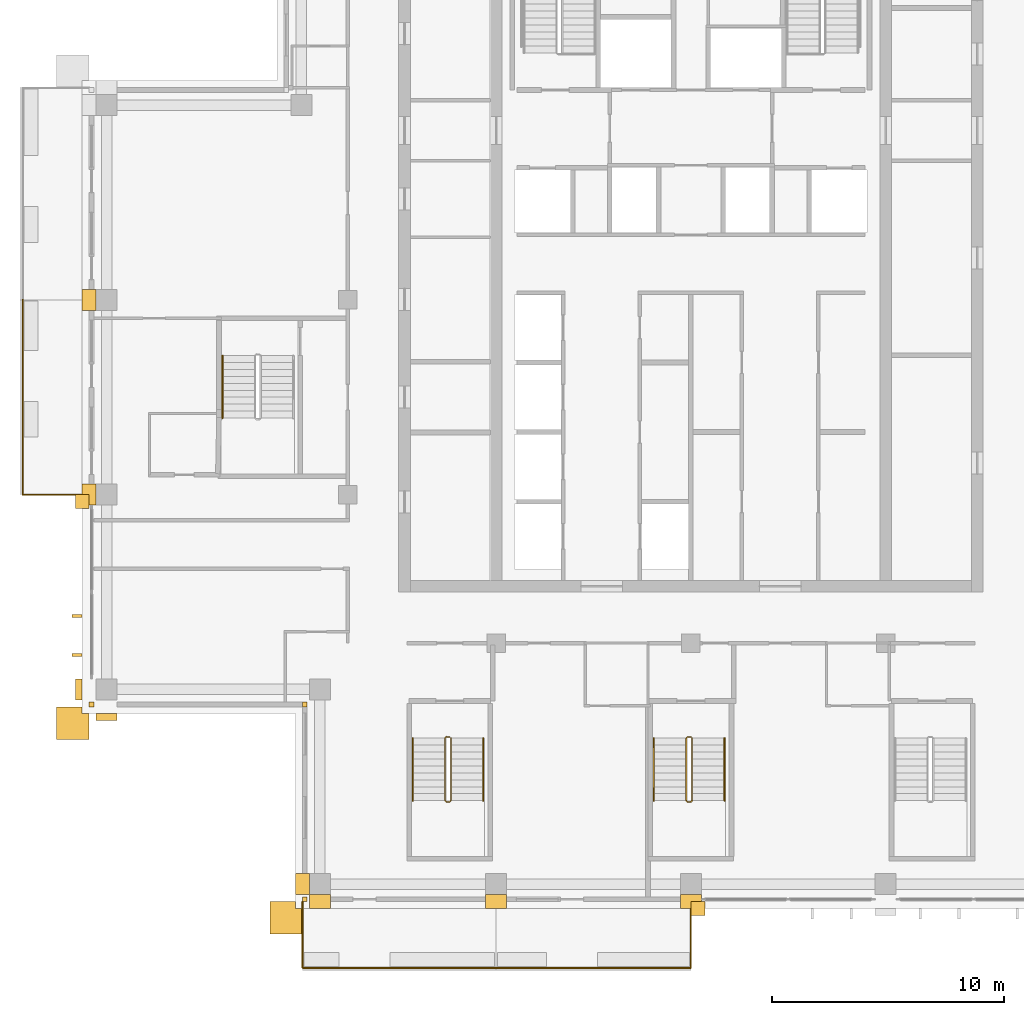
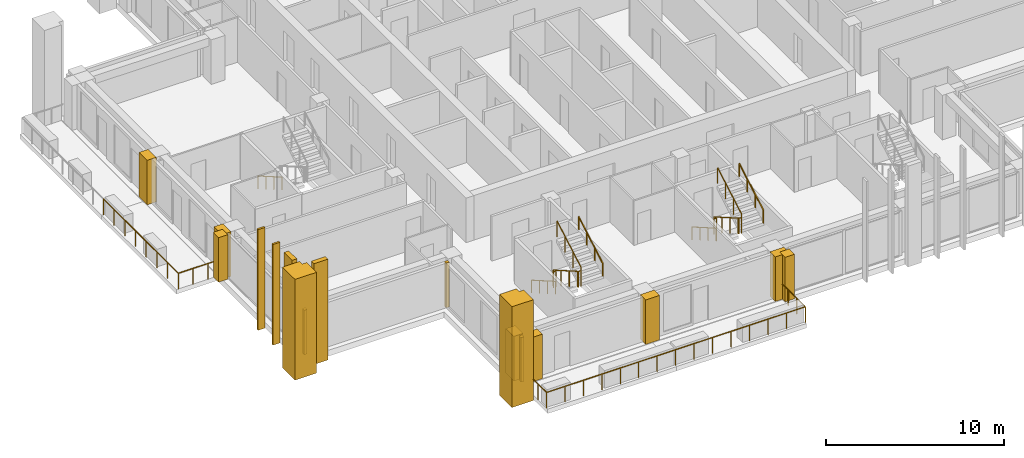
# One storey, part 13 of 16: 17 coverings, 10 railings.
"""IFC4 building model written with IfcOpenShell, lengths in metres."""

from ifc_helpers import new_model, si_unit, direction, frame, origin, origin_2d, place, context, subcontext, project, spatial, polyline, rectangle, outline, extrude, material, layer, layer_set, type_object, element, save


model = new_model("IFC4")

# Units and contexts
model_context = context("Model", 3, precision=1e-05, world=origin(), true_north=direction((0.0, 1.0)))
body_context = subcontext(model_context, "Body", "Model", "MODEL_VIEW")
ifc_project = project(units=[si_unit("LENGTHUNIT", "METRE"), si_unit("AREAUNIT", "SQUARE_METRE"), si_unit("VOLUMEUNIT", "CUBIC_METRE"), si_unit("PLANEANGLEUNIT", "RADIAN"), si_unit("MASSUNIT", "GRAM", prefix="KILO")], contexts=[model_context])

# Site, building, storey
site_placement = place(None, origin())
site = spatial("IfcSite", under=ifc_project, at=site_placement, CompositionType="ELEMENT")
building_placement = place(site_placement, origin())
building = spatial("IfcBuilding", under=site, at=building_placement, Name="Vermilion Ogive Tower", CompositionType="ELEMENT")
storey_placement = place(building_placement, frame((0.0, 0.0, 247.60009765625)))
storey = spatial("IfcBuildingStorey", under=building, at=storey_placement, Name="L65", CompositionType="ELEMENT", Elevation=247.60009765625)

# Railings
ifc_material_1 = material(Name="Stainless steel and glass", Category="steel")
railing_type_1 = type_object("IfcRailingType", Name="Balcony guard", PredefinedType="GUARDRAIL", material=ifc_material_1)
railing_1_placement = place(storey_placement, frame((-16.75, -21.75, -0.0400390625)))
element("IfcRailing", 1, at=railing_1_placement, inside=storey, type_object=railing_type_1, Name="Guard S01", PredefinedType="GUARDRAIL", context=body_context, shape_type="SweptSolid", body=[
    extrude(rectangle(XDim=0.048095703125, YDim=0.048095703125, at=origin_2d()), frame((0.0, 0.0, 1.076171875), z_axis=(0.0, -1.0, 0.0), x_axis=(1.0, 0.0, 0.0)), (0.0, 0.0, 1.0), 2.863525390625),
    extrude(rectangle(XDim=0.048095703125, YDim=0.048095703125, at=origin_2d()), frame((0.0, -2.863525390625, 1.076171875), z_axis=(1.0, 0.0, 0.0), x_axis=(0.0, 1.0, 0.0)), (0.0, 0.0, 1.0), 8.35009765625),
    extrude(rectangle(XDim=0.0419921875, YDim=0.0419921875, at=origin_2d()), origin(), (0.0, 0.0, 1.0), 1.052001953125),
    extrude(rectangle(XDim=0.0419921875, YDim=0.0419921875, at=origin_2d()), frame((0.0, -0.95458984375, 0.0)), (0.0, 0.0, 1.0), 1.052001953125),
    extrude(rectangle(XDim=0.0419921875, YDim=0.0419921875, at=origin_2d()), frame((0.0, -1.908935546875, 0.0)), (0.0, 0.0, 1.0), 1.052001953125),
    extrude(rectangle(XDim=0.0419921875, YDim=0.0419921875, at=origin_2d()), frame((0.0, -2.863525390625, 0.0)), (0.0, 0.0, 1.0), 1.052001953125),
    extrude(rectangle(XDim=0.0419921875, YDim=0.0419921875, at=origin_2d()), frame((1.19287109375, -2.863525390625, 0.0)), (0.0, 0.0, 1.0), 1.052001953125),
    extrude(rectangle(XDim=0.0419921875, YDim=0.0419921875, at=origin_2d()), frame((2.3857421875, -2.863525390625, 0.0)), (0.0, 0.0, 1.0), 1.052001953125),
    extrude(rectangle(XDim=0.0419921875, YDim=0.0419921875, at=origin_2d()), frame((3.57861328125, -2.863525390625, 0.0)), (0.0, 0.0, 1.0), 1.052001953125),
    extrude(rectangle(XDim=0.0419921875, YDim=0.0419921875, at=origin_2d()), frame((4.771484375, -2.863525390625, 0.0)), (0.0, 0.0, 1.0), 1.052001953125),
    extrude(rectangle(XDim=0.0419921875, YDim=0.0419921875, at=origin_2d()), frame((5.96435546875, -2.863525390625, 0.0)), (0.0, 0.0, 1.0), 1.052001953125),
    extrude(rectangle(XDim=0.0419921875, YDim=0.0419921875, at=origin_2d()), frame((7.1572265625, -2.863525390625, 0.0)), (0.0, 0.0, 1.0), 1.052001953125),
    extrude(rectangle(XDim=0.0419921875, YDim=0.0419921875, at=origin_2d()), frame((8.35009765625, -2.863525390625, 0.0)), (0.0, 0.0, 1.0), 1.052001953125),
])
railing_2_placement = place(storey_placement, frame((-8.39990234375, -24.613525390625, -0.0400390625)))
element("IfcRailing", 2, at=railing_2_placement, inside=storey, type_object=railing_type_1, Name="Guard S02", PredefinedType="GUARDRAIL", context=body_context, shape_type="SweptSolid", body=[
    extrude(rectangle(XDim=0.048095703125, YDim=0.048095703125, at=origin_2d()), frame((0.0, 0.0, 1.076171875), z_axis=(1.0, 0.0, 0.0), x_axis=(0.0, 1.0, 0.0)), (0.0, 0.0, 1.0), 8.39990234375),
    extrude(rectangle(XDim=0.048095703125, YDim=0.048095703125, at=origin_2d()), frame((8.39990234375, 0.0, 1.076171875), z_axis=(0.0, 1.0, 0.0), x_axis=(-1.0, 0.0, 0.0)), (0.0, 0.0, 1.0), 2.863525390625),
    extrude(rectangle(XDim=0.0419921875, YDim=0.0419921875, at=origin_2d()), origin(), (0.0, 0.0, 1.0), 1.052001953125),
    extrude(rectangle(XDim=0.0419921875, YDim=0.0419921875, at=origin_2d()), frame((1.199951171875, 0.0, 0.0)), (0.0, 0.0, 1.0), 1.052001953125),
    extrude(rectangle(XDim=0.0419921875, YDim=0.0419921875, at=origin_2d()), frame((2.39990234375, 0.0, 0.0)), (0.0, 0.0, 1.0), 1.052001953125),
    extrude(rectangle(XDim=0.0419921875, YDim=0.0419921875, at=origin_2d()), frame((3.599853515625, 0.0, 0.0)), (0.0, 0.0, 1.0), 1.052001953125),
    extrude(rectangle(XDim=0.0419921875, YDim=0.0419921875, at=origin_2d()), frame((4.800048828125, 0.0, 0.0)), (0.0, 0.0, 1.0), 1.052001953125),
    extrude(rectangle(XDim=0.0419921875, YDim=0.0419921875, at=origin_2d()), frame((6.0, 0.0, 0.0)), (0.0, 0.0, 1.0), 1.052001953125),
    extrude(rectangle(XDim=0.0419921875, YDim=0.0419921875, at=origin_2d()), frame((7.199951171875, 0.0, 0.0)), (0.0, 0.0, 1.0), 1.052001953125),
    extrude(rectangle(XDim=0.0419921875, YDim=0.0419921875, at=origin_2d()), frame((8.39990234375, 0.0, 0.0)), (0.0, 0.0, 1.0), 1.052001953125),
    extrude(rectangle(XDim=0.0419921875, YDim=0.0419921875, at=origin_2d()), frame((8.39990234375, 0.95458984375, 0.0)), (0.0, 0.0, 1.0), 1.052001953125),
    extrude(rectangle(XDim=0.0419921875, YDim=0.0419921875, at=origin_2d()), frame((8.39990234375, 1.908935546875, 0.0)), (0.0, 0.0, 1.0), 1.052001953125),
    extrude(rectangle(XDim=0.0419921875, YDim=0.0419921875, at=origin_2d()), frame((8.39990234375, 2.863525390625, 0.0)), (0.0, 0.0, 1.0), 1.052001953125),
])
railing_3_placement = place(storey_placement, frame((-28.813720703125, 4.199951171875, -0.0400390625)))
element("IfcRailing", 3, at=railing_3_placement, inside=storey, type_object=railing_type_1, Name="Guard W02", PredefinedType="GUARDRAIL", context=body_context, shape_type="SweptSolid", body=[
    extrude(rectangle(XDim=0.048095703125, YDim=0.048095703125, at=origin_2d()), frame((0.0, 0.0, 1.076171875), z_axis=(0.0, -1.0, 0.0), x_axis=(1.0, 0.0, 0.0)), (0.0, 0.0, 1.0), 8.39990234375),
    extrude(rectangle(XDim=0.048095703125, YDim=0.048095703125, at=origin_2d()), frame((0.0, -8.39990234375, 1.076171875), z_axis=(1.0, 0.0, 0.0), x_axis=(0.0, 1.0, 0.0)), (0.0, 0.0, 1.0), 2.86376953125),
    extrude(rectangle(XDim=0.0419921875, YDim=0.0419921875, at=origin_2d()), origin(), (0.0, 0.0, 1.0), 1.052001953125),
    extrude(rectangle(XDim=0.0419921875, YDim=0.0419921875, at=origin_2d()), frame((0.0, -1.199951171875, 0.0)), (0.0, 0.0, 1.0), 1.052001953125),
    extrude(rectangle(XDim=0.0419921875, YDim=0.0419921875, at=origin_2d()), frame((0.0, -2.39990234375, 0.0)), (0.0, 0.0, 1.0), 1.052001953125),
    extrude(rectangle(XDim=0.0419921875, YDim=0.0419921875, at=origin_2d()), frame((0.0, -3.599853515625, 0.0)), (0.0, 0.0, 1.0), 1.052001953125),
    extrude(rectangle(XDim=0.0419921875, YDim=0.0419921875, at=origin_2d()), frame((0.0, -4.800048828125, 0.0)), (0.0, 0.0, 1.0), 1.052001953125),
    extrude(rectangle(XDim=0.0419921875, YDim=0.0419921875, at=origin_2d()), frame((0.0, -6.0, 0.0)), (0.0, 0.0, 1.0), 1.052001953125),
    extrude(rectangle(XDim=0.0419921875, YDim=0.0419921875, at=origin_2d()), frame((0.0, -7.199951171875, 0.0)), (0.0, 0.0, 1.0), 1.052001953125),
    extrude(rectangle(XDim=0.0419921875, YDim=0.0419921875, at=origin_2d()), frame((0.0, -8.39990234375, 0.0)), (0.0, 0.0, 1.0), 1.052001953125),
    extrude(rectangle(XDim=0.0419921875, YDim=0.0419921875, at=origin_2d()), frame((0.95458984375, -8.39990234375, 0.0)), (0.0, 0.0, 1.0), 1.052001953125),
    extrude(rectangle(XDim=0.0419921875, YDim=0.0419921875, at=origin_2d()), frame((1.9091796875, -8.39990234375, 0.0)), (0.0, 0.0, 1.0), 1.052001953125),
    extrude(rectangle(XDim=0.0419921875, YDim=0.0419921875, at=origin_2d()), frame((2.86376953125, -8.39990234375, 0.0)), (0.0, 0.0, 1.0), 1.052001953125),
])

# Coverings
ifc_material_2 = material(Name="Glazed ceramic screen")
ifc_layer = layer(ifc_material_2, 0.14990234375)
ifc_layer_set = layer_set([ifc_layer], Name="Ceramic solar screen fin")
covering_type_1 = type_object("IfcCoveringType", Name="Ceramic solar screen fin", PredefinedType="CLADDING", material=ifc_layer_set)
covering_1_placement = place(storey_placement, frame((0.0, 0.0, -0.400146484375)))
element("IfcCovering", 4, at=covering_1_placement, inside=storey, type_object=covering_type_1, Name="Solar screen blade W971", PredefinedType="CLADDING", context=body_context, shape_type="SweptSolid", body=[
    extrude(outline(polyline([(-26.699951171875, -9.37744140625), (-26.699951171875, -9.49755859375), (-26.25, -9.49755859375), (-26.25, -9.37744140625), (-26.699951171875, -9.37744140625)])), origin(), (0.0, 0.0, 1.0), 6.900146484375),
])
covering_2_placement = place(storey_placement, frame((0.0, 0.0, -0.400146484375)))
element("IfcCovering", 5, at=covering_2_placement, inside=storey, type_object=covering_type_1, Name="Solar screen blade W972", PredefinedType="CLADDING", context=body_context, shape_type="SweptSolid", body=[
    extrude(outline(polyline([(-26.699951171875, -11.052490234375), (-26.699951171875, -11.172607421875), (-26.25, -11.172607421875), (-26.25, -11.052490234375), (-26.699951171875, -11.052490234375)])), origin(), (0.0, 0.0, 1.0), 6.900146484375),
])

# Railings
ifc_material_3 = material(Name="Steel S355 painted", Category="steel")
railing_type_2 = type_object("IfcRailingType", Name="Stair guard 1100", PredefinedType="GUARDRAIL", material=ifc_material_3)
railing_4_placement = place(storey_placement, frame((-10.39990234375, -14.64990234375, 0.0)))
element("IfcRailing", 6, at=railing_4_placement, inside=storey, type_object=railing_type_2, Name="L65 ST3 stair guard 4", PredefinedType="GUARDRAIL", context=body_context, shape_type="SweptSolid", body=[
    extrude(rectangle(XDim=0.048095703125, YDim=0.048095703125, at=origin_2d()), frame((0.0, 0.0, 1.076171875), z_axis=(-1.0, 0.0, 0.0), x_axis=(0.0, -1.0, 0.0)), (0.0, 0.0, 1.0), 0.150146484375),
    extrude(rectangle(XDim=0.048095703125, YDim=0.048095703125, at=origin_2d()), frame((-0.150146484375, 0.0, 1.076171875), z_axis=(-0.268603158521, -0.268603158521, 0.925043072762), x_axis=(0.707106781187, -0.707106781187, 0.0)), (0.0, 0.0, 1.0), 0.186279296875),
    extrude(rectangle(XDim=0.048095703125, YDim=0.048095703125, at=origin_2d()), frame((-0.2001953125, -0.050048828125, 1.24853515625), z_axis=(0.0, -0.866903762492, 0.498475542607), x_axis=(1.0, 0.0, 0.0)), (0.0, 0.0, 1.0), 3.114501953125),
    extrude(rectangle(XDim=0.048095703125, YDim=0.048095703125, at=origin_2d()), frame((-0.2001953125, -2.75, 2.80078125), z_axis=(0.707106781187, -0.707106781187, 0.0), x_axis=(0.707106781187, 0.707106781187, 0.0)), (0.0, 0.0, 1.0), 0.07080078125),
    extrude(rectangle(XDim=0.048095703125, YDim=0.048095703125, at=origin_2d()), frame((-0.150146484375, -2.800048828125, 2.80078125), z_axis=(1.0, 0.0, 0.0), x_axis=(0.0, 1.0, 0.0)), (0.0, 0.0, 1.0), 0.150146484375),
    extrude(rectangle(XDim=0.048095703125, YDim=0.048095703125, at=origin_2d()), frame((0.0, -2.800048828125, 2.80078125), z_axis=(0.267062837333, 0.268371968888, 0.925556009775), x_axis=(-0.708833529934, 0.705375805398, 0.0)), (0.0, 0.0, 1.0), 0.1865234375),
    extrude(rectangle(XDim=0.048095703125, YDim=0.048095703125, at=origin_2d()), frame((0.0498046875, -2.75, 2.9736328125), z_axis=(0.0, 0.866903762492, 0.498475542607), x_axis=(-1.0, 0.0, 0.0)), (0.0, 0.0, 1.0), 3.114501953125),
    extrude(rectangle(XDim=0.0419921875, YDim=0.0419921875, at=origin_2d()), origin(), (0.0, 0.0, 1.0), 1.052001953125),
    extrude(rectangle(XDim=0.0419921875, YDim=0.0419921875, at=origin_2d()), frame((-0.150146484375, 0.0, 0.0)), (0.0, 0.0, 1.0), 1.052001953125),
    extrude(rectangle(XDim=0.0419921875, YDim=0.0419921875, at=origin_2d()), frame((-0.2001953125, -0.050048828125, 0.17236328125)), (0.0, 0.0, 1.0), 1.052001953125),
    extrude(rectangle(XDim=0.0419921875, YDim=0.0419921875, at=origin_2d()), frame((-0.2001953125, -0.949951171875, 0.68994140625)), (0.0, 0.0, 1.0), 1.052001953125),
    extrude(rectangle(XDim=0.0419921875, YDim=0.0419921875, at=origin_2d()), frame((-0.2001953125, -1.85009765625, 1.207275390625)), (0.0, 0.0, 1.0), 1.052001953125),
    extrude(rectangle(XDim=0.0419921875, YDim=0.0419921875, at=origin_2d()), frame((-0.2001953125, -2.75, 1.724853515625)), (0.0, 0.0, 1.0), 1.052001953125),
    extrude(rectangle(XDim=0.0419921875, YDim=0.0419921875, at=origin_2d()), frame((-0.150146484375, -2.800048828125, 1.724853515625)), (0.0, 0.0, 1.0), 1.052001953125),
    extrude(rectangle(XDim=0.0419921875, YDim=0.0419921875, at=origin_2d()), frame((0.0, -2.800048828125, 1.724853515625)), (0.0, 0.0, 1.0), 1.052001953125),
    extrude(rectangle(XDim=0.0419921875, YDim=0.0419921875, at=origin_2d()), frame((0.0498046875, -2.75, 1.8974609375)), (0.0, 0.0, 1.0), 1.052001953125),
    extrude(rectangle(XDim=0.0419921875, YDim=0.0419921875, at=origin_2d()), frame((0.0498046875, -1.85009765625, 2.4150390625)), (0.0, 0.0, 1.0), 1.052001953125),
    extrude(rectangle(XDim=0.0419921875, YDim=0.0419921875, at=origin_2d()), frame((0.0498046875, -0.949951171875, 2.932373046875)), (0.0, 0.0, 1.0), 1.052001953125),
    extrude(rectangle(XDim=0.0419921875, YDim=0.0419921875, at=origin_2d()), frame((0.0498046875, -0.050048828125, 3.449951171875)), (0.0, 0.0, 1.0), 1.052001953125),
])
railing_5_placement = place(storey_placement, frame((0.0, -14.64990234375, 0.0)))
element("IfcRailing", 7, at=railing_5_placement, inside=storey, type_object=railing_type_2, Name="L65 ST4 stair guard 4", PredefinedType="GUARDRAIL", context=body_context, shape_type="SweptSolid", body=[
    extrude(rectangle(XDim=0.048095703125, YDim=0.048095703125, at=origin_2d()), frame((0.0, 0.0, 1.076171875), z_axis=(-1.0, 0.0, 0.0), x_axis=(0.0, -1.0, 0.0)), (0.0, 0.0, 1.0), 0.14990234375),
    extrude(rectangle(XDim=0.048095703125, YDim=0.048095703125, at=origin_2d()), frame((-0.14990234375, 0.0, 1.076171875), z_axis=(-0.268603158521, -0.268603158521, 0.925043072762), x_axis=(0.707106781187, -0.707106781187, 0.0)), (0.0, 0.0, 1.0), 0.186279296875),
    extrude(rectangle(XDim=0.048095703125, YDim=0.048095703125, at=origin_2d()), frame((-0.199951171875, -0.050048828125, 1.24853515625), z_axis=(0.0, -0.866903762492, 0.498475542607), x_axis=(1.0, 0.0, 0.0)), (0.0, 0.0, 1.0), 3.114501953125),
    extrude(rectangle(XDim=0.048095703125, YDim=0.048095703125, at=origin_2d()), frame((-0.199951171875, -2.75, 2.80078125), z_axis=(0.707106781187, -0.707106781187, 0.0), x_axis=(0.707106781187, 0.707106781187, 0.0)), (0.0, 0.0, 1.0), 0.07080078125),
    extrude(rectangle(XDim=0.048095703125, YDim=0.048095703125, at=origin_2d()), frame((-0.14990234375, -2.800048828125, 2.80078125), z_axis=(1.0, 0.0, 0.0), x_axis=(0.0, 1.0, 0.0)), (0.0, 0.0, 1.0), 0.14990234375),
    extrude(rectangle(XDim=0.048095703125, YDim=0.048095703125, at=origin_2d()), frame((0.0, -2.800048828125, 2.80078125), z_axis=(0.268277960024, 0.268277960024, 0.925231793839), x_axis=(-0.707106781187, 0.707106781187, 0.0)), (0.0, 0.0, 1.0), 0.1865234375),
    extrude(rectangle(XDim=0.048095703125, YDim=0.048095703125, at=origin_2d()), frame((0.050048828125, -2.75, 2.9736328125), z_axis=(0.0, 0.866903762492, 0.498475542607), x_axis=(-1.0, 0.0, 0.0)), (0.0, 0.0, 1.0), 3.114501953125),
    extrude(rectangle(XDim=0.0419921875, YDim=0.0419921875, at=origin_2d()), origin(), (0.0, 0.0, 1.0), 1.052001953125),
    extrude(rectangle(XDim=0.0419921875, YDim=0.0419921875, at=origin_2d()), frame((-0.14990234375, 0.0, 0.0)), (0.0, 0.0, 1.0), 1.052001953125),
    extrude(rectangle(XDim=0.0419921875, YDim=0.0419921875, at=origin_2d()), frame((-0.199951171875, -0.050048828125, 0.17236328125)), (0.0, 0.0, 1.0), 1.052001953125),
    extrude(rectangle(XDim=0.0419921875, YDim=0.0419921875, at=origin_2d()), frame((-0.199951171875, -0.949951171875, 0.68994140625)), (0.0, 0.0, 1.0), 1.052001953125),
    extrude(rectangle(XDim=0.0419921875, YDim=0.0419921875, at=origin_2d()), frame((-0.199951171875, -1.85009765625, 1.207275390625)), (0.0, 0.0, 1.0), 1.052001953125),
    extrude(rectangle(XDim=0.0419921875, YDim=0.0419921875, at=origin_2d()), frame((-0.199951171875, -2.75, 1.724853515625)), (0.0, 0.0, 1.0), 1.052001953125),
    extrude(rectangle(XDim=0.0419921875, YDim=0.0419921875, at=origin_2d()), frame((-0.14990234375, -2.800048828125, 1.724853515625)), (0.0, 0.0, 1.0), 1.052001953125),
    extrude(rectangle(XDim=0.0419921875, YDim=0.0419921875, at=origin_2d()), frame((0.0, -2.800048828125, 1.724853515625)), (0.0, 0.0, 1.0), 1.052001953125),
    extrude(rectangle(XDim=0.0419921875, YDim=0.0419921875, at=origin_2d()), frame((0.050048828125, -2.75, 1.8974609375)), (0.0, 0.0, 1.0), 1.052001953125),
    extrude(rectangle(XDim=0.0419921875, YDim=0.0419921875, at=origin_2d()), frame((0.050048828125, -1.85009765625, 2.4150390625)), (0.0, 0.0, 1.0), 1.052001953125),
    extrude(rectangle(XDim=0.0419921875, YDim=0.0419921875, at=origin_2d()), frame((0.050048828125, -0.949951171875, 2.932373046875)), (0.0, 0.0, 1.0), 1.052001953125),
    extrude(rectangle(XDim=0.0419921875, YDim=0.0419921875, at=origin_2d()), frame((0.050048828125, -0.050048828125, 3.449951171875)), (0.0, 0.0, 1.0), 1.052001953125),
])
ifc_material_4 = material(Name="Stainless steel", Category="steel")
railing_type_3 = type_object("IfcRailingType", Name="Stair handrail 900", PredefinedType="HANDRAIL", material=ifc_material_4)
railing_6_placement = place(storey_placement, frame((-12.0, -14.699951171875, 0.17236328125)))
element("IfcRailing", 8, at=railing_6_placement, inside=storey, type_object=railing_type_3, Name="L65 ST3 stair handrail 1", PredefinedType="HANDRAIL", context=body_context, shape_type="SweptSolid", body=[
    extrude(rectangle(XDim=0.048095703125, YDim=0.048095703125, at=origin_2d()), frame((0.0, 0.0, 0.8759765625), z_axis=(0.0, -0.866903762492, 0.498475542607), x_axis=(1.0, 0.0, 0.0)), (0.0, 0.0, 1.0), 3.114501953125),
    extrude(rectangle(XDim=0.0419921875, YDim=0.0419921875, at=origin_2d()), origin(), (0.0, 0.0, 1.0), 0.851806640625),
    extrude(rectangle(XDim=0.0419921875, YDim=0.0419921875, at=origin_2d()), frame((0.0, -0.89990234375, 0.517578125)), (0.0, 0.0, 1.0), 0.851806640625),
    extrude(rectangle(XDim=0.0419921875, YDim=0.0419921875, at=origin_2d()), frame((0.0, -1.800048828125, 1.034912109375)), (0.0, 0.0, 1.0), 0.851806640625),
    extrude(rectangle(XDim=0.0419921875, YDim=0.0419921875, at=origin_2d()), frame((0.0, -2.699951171875, 1.552490234375)), (0.0, 0.0, 1.0), 0.851806640625),
])
railing_7_placement = place(storey_placement, frame((-8.949951171875, -17.39990234375, 1.8974609375)))
element("IfcRailing", 9, at=railing_7_placement, inside=storey, type_object=railing_type_3, Name="L65 ST3 stair handrail 2", PredefinedType="HANDRAIL", context=body_context, shape_type="SweptSolid", body=[
    extrude(rectangle(XDim=0.048095703125, YDim=0.048095703125, at=origin_2d()), frame((0.0, 0.0, 0.8759765625), z_axis=(0.0, 0.866903762492, 0.498475542607), x_axis=(-1.0, 0.0, 0.0)), (0.0, 0.0, 1.0), 3.114501953125),
    extrude(rectangle(XDim=0.0419921875, YDim=0.0419921875, at=origin_2d()), origin(), (0.0, 0.0, 1.0), 0.851806640625),
    extrude(rectangle(XDim=0.0419921875, YDim=0.0419921875, at=origin_2d()), frame((0.0, 0.89990234375, 0.517578125)), (0.0, 0.0, 1.0), 0.851806640625),
    extrude(rectangle(XDim=0.0419921875, YDim=0.0419921875, at=origin_2d()), frame((0.0, 1.800048828125, 1.034912109375)), (0.0, 0.0, 1.0), 0.851806640625),
    extrude(rectangle(XDim=0.0419921875, YDim=0.0419921875, at=origin_2d()), frame((0.0, 2.699951171875, 1.552490234375)), (0.0, 0.0, 1.0), 0.851806640625),
])
railing_8_placement = place(storey_placement, frame((-1.60009765625, -14.699951171875, 0.17236328125)))
element("IfcRailing", 10, at=railing_8_placement, inside=storey, type_object=railing_type_3, Name="L65 ST4 stair handrail 1", PredefinedType="HANDRAIL", context=body_context, shape_type="SweptSolid", body=[
    extrude(rectangle(XDim=0.048095703125, YDim=0.048095703125, at=origin_2d()), frame((0.0, 0.0, 0.8759765625), z_axis=(0.0, -0.866903762492, 0.498475542607), x_axis=(1.0, 0.0, 0.0)), (0.0, 0.0, 1.0), 3.114501953125),
    extrude(rectangle(XDim=0.0419921875, YDim=0.0419921875, at=origin_2d()), origin(), (0.0, 0.0, 1.0), 0.851806640625),
    extrude(rectangle(XDim=0.0419921875, YDim=0.0419921875, at=origin_2d()), frame((0.0, -0.89990234375, 0.517578125)), (0.0, 0.0, 1.0), 0.851806640625),
    extrude(rectangle(XDim=0.0419921875, YDim=0.0419921875, at=origin_2d()), frame((0.0, -1.800048828125, 1.034912109375)), (0.0, 0.0, 1.0), 0.851806640625),
    extrude(rectangle(XDim=0.0419921875, YDim=0.0419921875, at=origin_2d()), frame((0.0, -2.699951171875, 1.552490234375)), (0.0, 0.0, 1.0), 0.851806640625),
])
railing_9_placement = place(storey_placement, frame((1.449951171875, -17.39990234375, 1.8974609375)))
element("IfcRailing", 11, at=railing_9_placement, inside=storey, type_object=railing_type_3, Name="L65 ST4 stair handrail 2", PredefinedType="HANDRAIL", context=body_context, shape_type="SweptSolid", body=[
    extrude(rectangle(XDim=0.048095703125, YDim=0.048095703125, at=origin_2d()), frame((0.0, 0.0, 0.8759765625), z_axis=(0.0, 0.866903762492, 0.498475542607), x_axis=(-1.0, 0.0, 0.0)), (0.0, 0.0, 1.0), 3.114501953125),
    extrude(rectangle(XDim=0.0419921875, YDim=0.0419921875, at=origin_2d()), origin(), (0.0, 0.0, 1.0), 0.851806640625),
    extrude(rectangle(XDim=0.0419921875, YDim=0.0419921875, at=origin_2d()), frame((0.0, 0.89990234375, 0.517578125)), (0.0, 0.0, 1.0), 0.851806640625),
    extrude(rectangle(XDim=0.0419921875, YDim=0.0419921875, at=origin_2d()), frame((0.0, 1.800048828125, 1.034912109375)), (0.0, 0.0, 1.0), 0.851806640625),
    extrude(rectangle(XDim=0.0419921875, YDim=0.0419921875, at=origin_2d()), frame((0.0, 2.699951171875, 1.552490234375)), (0.0, 0.0, 1.0), 0.851806640625),
])
railing_10_placement = place(storey_placement, frame((-20.199951171875, 1.800048828125, 0.17236328125)))
element("IfcRailing", 12, at=railing_10_placement, inside=storey, type_object=railing_type_3, Name="L65 ST9 stair handrail 1", PredefinedType="HANDRAIL", context=body_context, shape_type="SweptSolid", body=[
    extrude(rectangle(XDim=0.048095703125, YDim=0.048095703125, at=origin_2d()), frame((0.0, 0.0, 0.8759765625), z_axis=(0.0, -0.866903762492, 0.498475542607), x_axis=(1.0, 0.0, 0.0)), (0.0, 0.0, 1.0), 3.114501953125),
    extrude(rectangle(XDim=0.0419921875, YDim=0.0419921875, at=origin_2d()), origin(), (0.0, 0.0, 1.0), 0.851806640625),
    extrude(rectangle(XDim=0.0419921875, YDim=0.0419921875, at=origin_2d()), frame((0.0, -0.89990234375, 0.517578125)), (0.0, 0.0, 1.0), 0.851806640625),
    extrude(rectangle(XDim=0.0419921875, YDim=0.0419921875, at=origin_2d()), frame((0.0, -1.800048828125, 1.034912109375)), (0.0, 0.0, 1.0), 0.851806640625),
    extrude(rectangle(XDim=0.0419921875, YDim=0.0419921875, at=origin_2d()), frame((0.0, -2.699951171875, 1.552490234375)), (0.0, 0.0, 1.0), 0.851806640625),
])

# Coverings
ifc_material_5 = material(Name="Stone cladding", Category="masonry")
covering_type_2 = type_object("IfcCoveringType", Name="Stone corner buttress", PredefinedType="CLADDING", material=ifc_material_5)
covering_3_placement = place(storey_placement, origin())
element("IfcCovering", 13, at=covering_3_placement, inside=storey, type_object=covering_type_2, Name="Stone crease pier SK", PredefinedType="CLADDING", context=body_context, shape_type="SweptSolid", body=[
    extrude(outline(polyline([(0.0, -22.35009765625), (0.60009765625, -22.35009765625), (0.60009765625, -21.75), (0.0, -21.75), (0.0, -22.35009765625)])), origin(), (0.0, 0.0, 1.0), 3.0498046875),
])
covering_4_placement = place(storey_placement, origin())
element("IfcCovering", 14, at=covering_4_placement, inside=storey, type_object=covering_type_2, Name="Stone crease pier WK", PredefinedType="CLADDING", context=body_context, shape_type="SweptSolid", body=[
    extrude(outline(polyline([(-26.550048828125, -4.199951171875), (-26.550048828125, -4.800048828125), (-25.949951171875, -4.800048828125), (-25.949951171875, -4.199951171875), (-26.550048828125, -4.199951171875)])), origin(), (0.0, 0.0, 1.0), 3.0498046875),
])
covering_5_placement = place(storey_placement, frame((0.0, 0.0, -0.400146484375)))
element("IfcCovering", 15, at=covering_5_placement, inside=storey, type_object=covering_type_2, Name="Stone corner buttress S1", PredefinedType="CLADDING", context=body_context, shape_type="SweptSolid", body=[
    extrude(outline(polyline([(-17.050048828125, -22.050048828125), (-16.75, -22.050048828125), (-16.75, -23.14990234375), (-18.14990234375, -23.14990234375), (-18.14990234375, -21.75), (-17.050048828125, -21.75), (-17.050048828125, -22.050048828125)])), origin(), (0.0, 0.0, 1.0), 6.900146484375),
])
covering_6_placement = place(storey_placement, frame((0.0, 0.0, -0.400146484375)))
element("IfcCovering", 16, at=covering_6_placement, inside=storey, type_object=covering_type_2, Name="Stone corner buttress X71", PredefinedType="CLADDING", context=body_context, shape_type="SweptSolid", body=[
    extrude(outline(polyline([(-26.25, -13.35009765625), (-26.25, -13.64990234375), (-25.949951171875, -13.64990234375), (-25.949951171875, -14.75), (-27.35009765625, -14.75), (-27.35009765625, -13.35009765625), (-26.25, -13.35009765625)])), origin(), (0.0, 0.0, 1.0), 6.900146484375),
])
ifc_material_6 = material(Name="Stone cladding", Category="masonry")
covering_type_3 = type_object("IfcCoveringType", Name="Stone pier", PredefinedType="CLADDING", material=ifc_material_6)
covering_7_placement = place(storey_placement, origin())
element("IfcCovering", 17, at=covering_7_placement, inside=storey, type_object=covering_type_3, Name="Stone corner pier WE1", PredefinedType="CLADDING", context=body_context, shape_type="SweptSolid", body=[
    extrude(outline(polyline([(-25.75, -13.14990234375), (-25.75, -13.35009765625), (-25.949951171875, -13.35009765625), (-25.949951171875, -13.14990234375), (-25.75, -13.14990234375)])), origin(), (0.0, 0.0, 1.0), 3.0498046875),
])
covering_8_placement = place(storey_placement, origin())
element("IfcCovering", 18, at=covering_8_placement, inside=storey, type_object=covering_type_3, Name="Stone corner pier X7E1", PredefinedType="CLADDING", context=body_context, shape_type="SweptSolid", body=[
    extrude(outline(polyline([(-16.550048828125, -13.14990234375), (-16.550048828125, -13.35009765625), (-16.75, -13.35009765625), (-16.75, -13.14990234375), (-16.550048828125, -13.14990234375)])), origin(), (0.0, 0.0, 1.0), 3.0498046875),
])
covering_9_placement = place(storey_placement, origin())
element("IfcCovering", 19, at=covering_9_placement, inside=storey, type_object=covering_type_3, Name="Stone corner pier X8E1", PredefinedType="CLADDING", context=body_context, shape_type="SweptSolid", body=[
    extrude(outline(polyline([(-16.550048828125, -21.550048828125), (-16.550048828125, -21.75), (-16.75, -21.75), (-16.75, -21.550048828125), (-16.550048828125, -21.550048828125)])), origin(), (0.0, 0.0, 1.0), 3.0498046875),
])
covering_10_placement = place(storey_placement, frame((0.0, 0.0, -0.400146484375)))
element("IfcCovering", 20, at=covering_10_placement, inside=storey, type_object=covering_type_3, Name="Stone pier P-0252-126W", PredefinedType="CLADDING", context=body_context, shape_type="SweptSolid", body=[
    extrude(outline(polyline([(-26.550048828125, -13.050048828125), (-26.550048828125, -12.14990234375), (-26.25, -12.14990234375), (-26.25, -13.050048828125), (-26.550048828125, -13.050048828125)])), origin(), (0.0, 0.0, 1.0), 6.900146484375),
])
covering_11_placement = place(storey_placement, frame((0.0, 0.0, -0.400146484375)))
element("IfcCovering", 21, at=covering_11_placement, inside=storey, type_object=covering_type_3, Name="Stone pier P-0252-126X7", PredefinedType="CLADDING", context=body_context, shape_type="SweptSolid", body=[
    extrude(outline(polyline([(-25.64990234375, -13.949951171875), (-25.64990234375, -13.64990234375), (-24.75, -13.64990234375), (-24.75, -13.949951171875), (-25.64990234375, -13.949951171875)])), origin(), (0.0, 0.0, 1.0), 6.900146484375),
])
covering_12_placement = place(storey_placement, origin())
element("IfcCovering", 22, at=covering_12_placement, inside=storey, type_object=covering_type_3, Name="Stone pier P+0000-210", PredefinedType="CLADDING", context=body_context, shape_type="SweptSolid", body=[
    extrude(outline(polyline([(0.449951171875, -21.75), (0.0, -21.75), (0.0, -22.050048828125), (-0.449951171875, -22.050048828125), (-0.449951171875, -21.449951171875), (0.449951171875, -21.449951171875), (0.449951171875, -21.75)])), origin(), (0.0, 0.0, 1.0), 3.0498046875),
])
covering_13_placement = place(storey_placement, origin())
element("IfcCovering", 23, at=covering_13_placement, inside=storey, type_object=covering_type_3, Name="Stone pier P-0084-210", PredefinedType="CLADDING", context=body_context, shape_type="SweptSolid", body=[
    extrude(outline(polyline([(-7.949951171875, -21.449951171875), (-7.949951171875, -22.050048828125), (-8.85009765625, -22.050048828125), (-8.85009765625, -21.449951171875), (-8.85009765625, -21.449951171875), (-7.949951171875, -21.449951171875)])), origin(), (0.0, 0.0, 1.0), 3.0498046875),
])
covering_14_placement = place(storey_placement, origin())
element("IfcCovering", 24, at=covering_14_placement, inside=storey, type_object=covering_type_3, Name="Stone pier P-0160-210S", PredefinedType="CLADDING", context=body_context, shape_type="SweptSolid", body=[
    extrude(outline(polyline([(-15.550048828125, -22.050048828125), (-16.449951171875, -22.050048828125), (-16.449951171875, -21.449951171875), (-15.550048828125, -21.449951171875), (-15.550048828125, -22.050048828125)])), origin(), (0.0, 0.0, 1.0), 3.0498046875),
])
covering_15_placement = place(storey_placement, origin())
element("IfcCovering", 25, at=covering_15_placement, inside=storey, type_object=covering_type_3, Name="Stone pier P-0160-210X8", PredefinedType="CLADDING", context=body_context, shape_type="SweptSolid", body=[
    extrude(outline(polyline([(-17.050048828125, -20.550048828125), (-16.449951171875, -20.550048828125), (-16.449951171875, -21.449951171875), (-17.050048828125, -21.449951171875), (-17.050048828125, -20.550048828125)])), origin(), (0.0, 0.0, 1.0), 3.0498046875),
])
covering_16_placement = place(storey_placement, origin())
element("IfcCovering", 26, at=covering_16_placement, inside=storey, type_object=covering_type_3, Name="Stone pier P-0252+042", PredefinedType="CLADDING", context=body_context, shape_type="SweptSolid", body=[
    extrude(outline(polyline([(-26.25, 3.75), (-26.25, 4.64990234375), (-25.64990234375, 4.64990234375), (-25.64990234375, 3.75), (-26.25, 3.75)])), origin(), (0.0, 0.0, 1.0), 3.0498046875),
])
covering_17_placement = place(storey_placement, origin())
element("IfcCovering", 27, at=covering_17_placement, inside=storey, type_object=covering_type_3, Name="Stone pier P-0252-042", PredefinedType="CLADDING", context=body_context, shape_type="SweptSolid", body=[
    extrude(outline(polyline([(-25.949951171875, -4.64990234375), (-25.949951171875, -4.199951171875), (-26.25, -4.199951171875), (-26.25, -3.75), (-25.64990234375, -3.75), (-25.64990234375, -4.64990234375), (-25.949951171875, -4.64990234375)])), origin(), (0.0, 0.0, 1.0), 3.0498046875),
])

save(model, "model.ifc")
